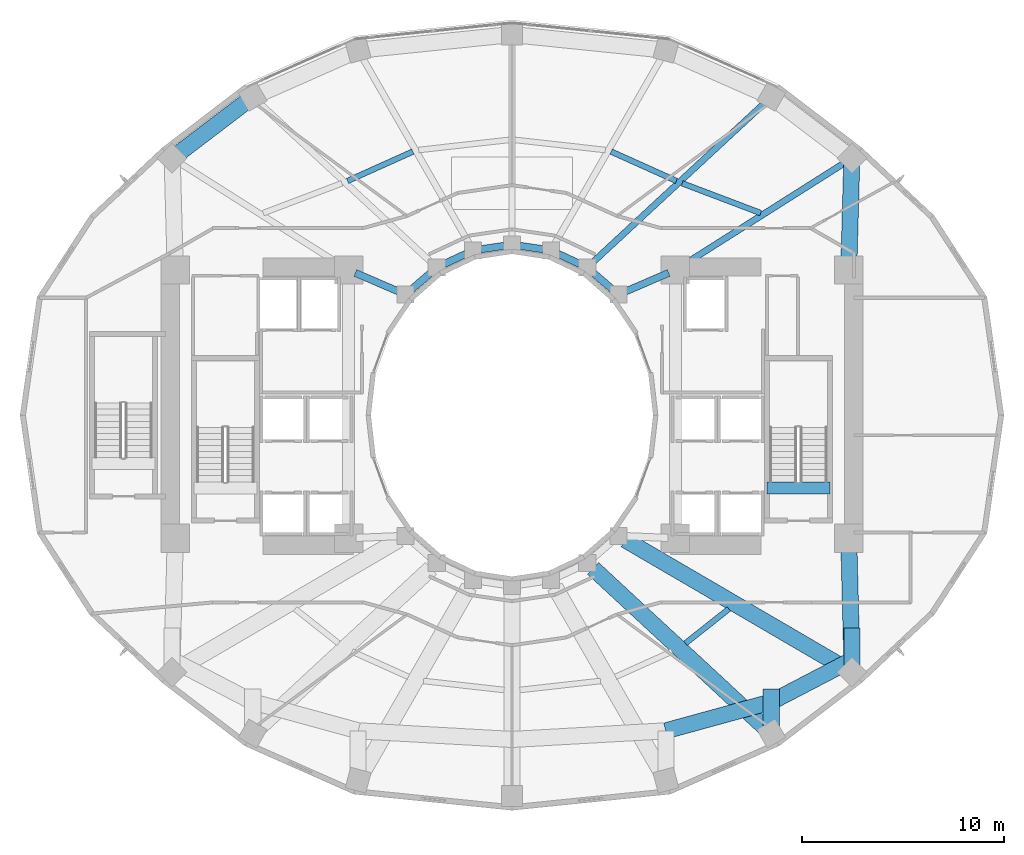
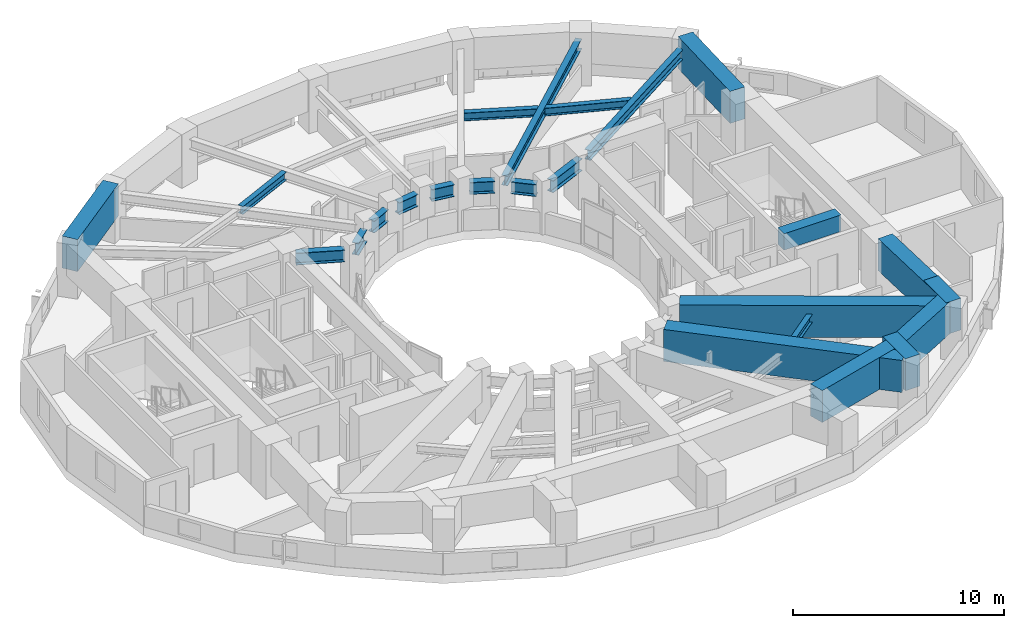
# One storey, part 7 of 19: 24 beams.
"""IFC4 building model written with IfcOpenShell, lengths in metres."""

from ifc_helpers import new_model, si_unit, direction, frame, origin, origin_2d, place, context, subcontext, project, spatial, rectangle, i_section, extrude, material, material_profile, profile_set, type_object, element, save


model = new_model("IFC4")

# Units and contexts
model_context = context("Model", 3, precision=1e-05, world=origin(), true_north=direction((0.0, 1.0)))
body_context = subcontext(model_context, "Body", "Model", "MODEL_VIEW")
ifc_project = project(units=[si_unit("LENGTHUNIT", "METRE"), si_unit("AREAUNIT", "SQUARE_METRE"), si_unit("VOLUMEUNIT", "CUBIC_METRE"), si_unit("PLANEANGLEUNIT", "RADIAN"), si_unit("MASSUNIT", "GRAM", prefix="KILO")], contexts=[model_context])

# Site, building, storey
site_placement = place(None, origin())
site = spatial("IfcSite", under=ifc_project, at=site_placement, CompositionType="ELEMENT")
building_placement = place(site_placement, origin())
building = spatial("IfcBuilding", under=site, at=building_placement, Name="Solvane Sanctuary Tower", CompositionType="ELEMENT")
storey_placement = place(building_placement, frame((0.0, 0.0, 73.199951171875)))
storey = spatial("IfcBuildingStorey", under=building, at=storey_placement, Name="L21", CompositionType="ELEMENT", Elevation=73.199951171875)

# Beams
ifc_material_1 = material(Name="Concrete C70/85", Category="concrete")
ifc_material_profile_1 = material_profile(ifc_material_1, rectangle(XDim=0.60009765625, YDim=0.949951171875, at=origin_2d()), Name="RC600X950")
ifc_profile_set_1 = profile_set([ifc_material_profile_1], Name="Concrete C70/85")
beam_type_1 = type_object("IfcBeamType", Name="Beam B-COUPLE RC600X950", PredefinedType="LINTEL", material=ifc_profile_set_1)
beam_1_placement = place(storey_placement, frame((44.64990234375, 19.399169921875, 2.625), z_axis=(1.0, 0.0, 0.0), x_axis=(0.0, 1.0, 0.0)))
element("IfcBeam", 1, at=beam_1_placement, inside=storey, type_object=beam_type_1, Name="L21 ST-2 Stair Floor Landing Trimmer", PredefinedType="LINTEL", context=body_context, shape_type="SweptSolid", body=[
    extrude(rectangle(XDim=0.60009765625, YDim=0.949951171875, at=origin_2d()), origin(), (0.0, 0.0, 1.0), 3.1201171875),
])
ifc_material_2 = material(Name="Steel ASTM A992 Grade 50", Category="steel")
ifc_material_profile_2 = material_profile(ifc_material_2, i_section(OverallWidth=0.31494140625, OverallDepth=0.575927734375, WebThickness=0.01513671875, FlangeThickness=0.0244140625, FilletRadius=0.014892578125, at=origin_2d()), Name="W21X122")
ifc_profile_set_2 = profile_set([ifc_material_profile_2], Name="Steel ASTM A992 Grade 50")
beam_type_2 = type_object("IfcBeamType", Name="Beam B-RAD-Z2 W21X122", PredefinedType="BEAM", material=ifc_profile_set_2)
beam_2_placement = place(storey_placement, frame((40.404052734375, 30.392578125, 2.31005859375), z_axis=(0.844853889678, 0.534997107558, 0.0), x_axis=(-0.534997107558, 0.844853889678, 0.0)))
element("IfcBeam", 2, at=beam_2_placement, inside=storey, type_object=beam_type_2, Name="L21 Radial Composite Floor Beam 01", PredefinedType="BEAM", context=body_context, shape_type="SweptSolid", body=[
    extrude(i_section(OverallWidth=0.31494140625, OverallDepth=0.575927734375, WebThickness=0.01513671875, FlangeThickness=0.0244140625, FilletRadius=0.014892578125, at=origin_2d()), origin(), (0.0, 0.0, 1.0), 9.720458984375),
])
beam_3_placement = place(storey_placement, frame((35.935302734375, 30.516845703125, 2.31005859375), z_axis=(0.733453775248, 0.679739332078, 0.0), x_axis=(-0.679739332078, 0.733453775248, 0.0)))
element("IfcBeam", 3, at=beam_3_placement, inside=storey, type_object=beam_type_2, Name="L21 Radial Composite Floor Beam 02", PredefinedType="BEAM", context=body_context, shape_type="SweptSolid", body=[
    extrude(i_section(OverallWidth=0.31494140625, OverallDepth=0.575927734375, WebThickness=0.01513671875, FlangeThickness=0.0244140625, FilletRadius=0.014892578125, at=origin_2d()), origin(), (0.0, 0.0, 1.0), 11.885498046875),
])
ifc_material_profile_3 = material_profile(ifc_material_2, i_section(OverallWidth=0.35498046875, OverallDepth=0.695068359375, WebThickness=0.015380859375, FlangeThickness=0.02490234375, FilletRadius=0.01806640625, at=origin_2d()), Name="W27X146")
ifc_profile_set_3 = profile_set([ifc_material_profile_3], Name="Steel ASTM A992 Grade 50")
beam_type_3 = type_object("IfcBeamType", Name="Beam B-RING-IN1 W27X146", PredefinedType="BEAM", material=ifc_profile_set_3)
beam_4_placement = place(storey_placement, frame((24.230712890625, 30.0576171875, 2.25048828125), z_axis=(0.918261456479, -0.3959746173, 0.0), x_axis=(0.3959746173, 0.918261456479, 0.0)))
element("IfcBeam", 4, at=beam_4_placement, inside=storey, type_object=beam_type_3, Name="L21 Inner Light-Well Ring Beam CW3-IC07", PredefinedType="BEAM", context=body_context, shape_type="SweptSolid", body=[
    extrude(i_section(OverallWidth=0.35498046875, OverallDepth=0.695068359375, WebThickness=0.015380859375, FlangeThickness=0.02490234375, FilletRadius=0.01806640625, at=origin_2d()), origin(), (0.0, 0.0, 1.0), 2.3212890625),
])
beam_5_placement = place(storey_placement, frame((27.02294921875, 29.241455078125, 2.25048828125), z_axis=(0.754317177099, 0.656510164684, 0.0), x_axis=(-0.656510164684, 0.754317177099, 0.0)))
element("IfcBeam", 5, at=beam_5_placement, inside=storey, type_object=beam_type_3, Name="L21 Inner Light-Well Ring Beam IC07-IC06", PredefinedType="BEAM", context=body_context, shape_type="SweptSolid", body=[
    extrude(i_section(OverallWidth=0.35498046875, OverallDepth=0.695068359375, WebThickness=0.015380859375, FlangeThickness=0.02490234375, FilletRadius=0.01806640625, at=origin_2d()), origin(), (0.0, 0.0, 1.0), 1.258056640625),
])
beam_6_placement = place(storey_placement, frame((28.62744140625, 30.494384765625, 2.25048828125), z_axis=(0.905044882818, 0.425316070804, 0.0), x_axis=(-0.425316070804, 0.905044882818, 0.0)))
element("IfcBeam", 6, at=beam_6_placement, inside=storey, type_object=beam_type_3, Name="L21 Inner Light-Well Ring Beam IC06-IC05", PredefinedType="BEAM", context=body_context, shape_type="SweptSolid", body=[
    extrude(i_section(OverallWidth=0.35498046875, OverallDepth=0.695068359375, WebThickness=0.015380859375, FlangeThickness=0.02490234375, FilletRadius=0.01806640625, at=origin_2d()), origin(), (0.0, 0.0, 1.0), 1.197998046875),
])
for number, where, z_axis, x_axis, name in (
    (7, (30.4599609375, 31.22998046875, 2.25048828125), (0.989034751611, 0.147682971619, 0.0), (-0.147682971619, 0.989034751611, 0.0), "L21 Inner Light-Well Ring Beam IC05-IC04"),
    (8, (32.390625, 31.401611328125, 2.25048828125), (0.989034751611, -0.147682971619, 0.0), (0.147682971619, 0.989034751611, 0.0), "L21 Inner Light-Well Ring Beam IC04-IC03"),
):
    element("IfcBeam", number, at=place(storey_placement, frame(where, z_axis=z_axis, x_axis=x_axis)), inside=storey, type_object=beam_type_3, Name=name, PredefinedType="BEAM", context=body_context, shape_type="SweptSolid", body=[
        extrude(i_section(OverallWidth=0.35498046875, OverallDepth=0.695068359375, WebThickness=0.015380859375, FlangeThickness=0.02490234375, FilletRadius=0.01806640625, at=origin_2d()), origin(), (0.0, 0.0, 1.0), 1.162109375),
    ])
beam_7_placement = place(storey_placement, frame((34.288330078125, 31.00390625, 2.25048828125), z_axis=(0.905044882818, -0.425316070804, 0.0), x_axis=(0.425316070804, 0.905044882818, 0.0)))
element("IfcBeam", 9, at=beam_7_placement, inside=storey, type_object=beam_type_3, Name="L21 Inner Light-Well Ring Beam IC03-IC02", PredefinedType="BEAM", context=body_context, shape_type="SweptSolid", body=[
    extrude(i_section(OverallWidth=0.35498046875, OverallDepth=0.695068359375, WebThickness=0.015380859375, FlangeThickness=0.02490234375, FilletRadius=0.01806640625, at=origin_2d()), origin(), (0.0, 0.0, 1.0), 1.197998046875),
])
beam_8_placement = place(storey_placement, frame((36.028076171875, 30.0673828125, 2.25048828125), z_axis=(0.754317177099, -0.656510164684, 0.0), x_axis=(0.656510164684, 0.754317177099, 0.0)))
element("IfcBeam", 10, at=beam_8_placement, inside=storey, type_object=beam_type_3, Name="L21 Inner Light-Well Ring Beam IC02-IC01", PredefinedType="BEAM", context=body_context, shape_type="SweptSolid", body=[
    extrude(i_section(OverallWidth=0.35498046875, OverallDepth=0.695068359375, WebThickness=0.015380859375, FlangeThickness=0.02490234375, FilletRadius=0.01806640625, at=origin_2d()), origin(), (0.0, 0.0, 1.0), 1.258056640625),
])
beam_9_placement = place(storey_placement, frame((37.6376953125, 29.138427734375, 2.25048828125), z_axis=(0.918261456479, 0.3959746173, 0.0), x_axis=(-0.3959746173, 0.918261456479, 0.0)))
element("IfcBeam", 11, at=beam_9_placement, inside=storey, type_object=beam_type_3, Name="L21 Inner Light-Well Ring Beam IC01-CE4", PredefinedType="BEAM", context=body_context, shape_type="SweptSolid", body=[
    extrude(i_section(OverallWidth=0.35498046875, OverallDepth=0.695068359375, WebThickness=0.015380859375, FlangeThickness=0.02490234375, FilletRadius=0.01806640625, at=origin_2d()), origin(), (0.0, 0.0, 1.0), 2.3212890625),
])
ifc_material_profile_4 = material_profile(ifc_material_2, i_section(OverallWidth=0.280029296875, OverallDepth=0.462890625, WebThickness=0.0107421875, FlangeThickness=0.017333984375, FilletRadius=0.013916015625, at=origin_2d()), Name="W18X76")
ifc_profile_set_4 = profile_set([ifc_material_profile_4], Name="Steel ASTM A992 Grade 50")
beam_type_4 = type_object("IfcBeamType", Name="Beam B-SEC-JOIST W18X76", PredefinedType="JOIST", material=ifc_profile_set_4)
for number, where, z_axis, x_axis, name in (
    (12, (23.844970703125, 34.618896484375, 2.366455078125), (0.912083673068, 0.410004113787, 0.0), (-0.410004113787, 0.912083673068, 0.0), "L21 Secondary Circumferential Joist 06-05"),
    (13, (36.919189453125, 36.073486328125, 2.366455078125), (0.912083673068, -0.410004113787, 0.0), (0.410004113787, 0.912083673068, 0.0), "L21 Secondary Circumferential Joist 03-02"),
):
    element("IfcBeam", number, at=place(storey_placement, frame(where, z_axis=z_axis, x_axis=x_axis)), inside=storey, type_object=beam_type_4, Name=name, PredefinedType="JOIST", context=body_context, shape_type="SweptSolid", body=[
        extrude(i_section(OverallWidth=0.280029296875, OverallDepth=0.462890625, WebThickness=0.0107421875, FlangeThickness=0.017333984375, FilletRadius=0.013916015625, at=origin_2d()), origin(), (0.0, 0.0, 1.0), 3.5478515625),
    ])
beam_10_placement = place(storey_placement, frame((40.436767578125, 34.50244140625, 2.366455078125), z_axis=(0.93509327646, -0.354401699091, 0.0), x_axis=(0.354401699091, 0.93509327646, 0.0)))
element("IfcBeam", 14, at=beam_10_placement, inside=storey, type_object=beam_type_4, Name="L21 Secondary Circumferential Joist 02-01", PredefinedType="JOIST", context=body_context, shape_type="SweptSolid", body=[
    extrude(i_section(OverallWidth=0.280029296875, OverallDepth=0.462890625, WebThickness=0.0107421875, FlangeThickness=0.017333984375, FilletRadius=0.013916015625, at=origin_2d()), origin(), (0.0, 0.0, 1.0), 4.167724609375),
])
beam_11_placement = place(storey_placement, frame((40.603759765625, 11.68896484375, 2.366455078125), z_axis=(0.783906859924, 0.620878438153, 0.0), x_axis=(-0.620878438153, 0.783906859924, 0.0)))
element("IfcBeam", 15, at=beam_11_placement, inside=storey, type_object=beam_type_4, Name="L21 Secondary Circumferential Joist 13-14", PredefinedType="JOIST", context=body_context, shape_type="SweptSolid", body=[
    extrude(i_section(OverallWidth=0.280029296875, OverallDepth=0.462890625, WebThickness=0.0107421875, FlangeThickness=0.017333984375, FilletRadius=0.013916015625, at=origin_2d()), origin(), (0.0, 0.0, 1.0), 2.743408203125),
])
ifc_material_profile_5 = material_profile(ifc_material_1, rectangle(XDim=0.800048828125, YDim=1.85009765625, at=origin_2d()), Name="RC800X1850")
ifc_profile_set_5 = profile_set([ifc_material_profile_5], Name="Concrete C70/85")
beam_type_5 = type_object("IfcBeamType", Name="Beam B-XFER-BLK RC800X1850", PredefinedType="BEAM", material=ifc_profile_set_5)
beam_12_placement = place(storey_placement, frame((36.019775390625, 15.40478515625, 2.175048828125), z_axis=(0.733470457191, -0.679721331449, 0.0), x_axis=(0.679721331449, 0.733470457191, 0.0)))
element("IfcBeam", 16, at=beam_12_placement, inside=storey, type_object=beam_type_5, Name="L21 Block-Shift Radial Transfer Girder 13A", PredefinedType="BEAM", context=body_context, shape_type="SweptSolid", body=[
    extrude(rectangle(XDim=0.800048828125, YDim=1.85009765625, at=origin_2d()), origin(), (0.0, 0.0, 1.0), 11.60546875),
])
beam_13_placement = place(storey_placement, frame((44.8583984375, 7.263916015625, 2.175048828125), z_axis=(0.0, 1.0, 0.0), x_axis=(-1.0, 0.0, 0.0)))
element("IfcBeam", 17, at=beam_13_placement, inside=storey, type_object=beam_type_5, Name="L21 Block-Shift Transfer Tie 13B", PredefinedType="BEAM", context=body_context, shape_type="SweptSolid", body=[
    extrude(rectangle(XDim=0.800048828125, YDim=1.85009765625, at=origin_2d()), origin(), (0.0, 0.0, 1.0), 2.14990234375),
])
beam_14_placement = place(storey_placement, frame((37.6162109375, 16.818603515625, 2.175048828125), z_axis=(0.863561803877, -0.504243007771, 0.0), x_axis=(0.504243007771, 0.863561803877, 0.0)))
element("IfcBeam", 18, at=beam_14_placement, inside=storey, type_object=beam_type_5, Name="L21 Block-Shift Radial Transfer Girder 14A", PredefinedType="BEAM", context=body_context, shape_type="SweptSolid", body=[
    extrude(rectangle(XDim=0.800048828125, YDim=1.85009765625, at=origin_2d()), origin(), (0.0, 0.0, 1.0), 12.567138671875),
])
beam_15_placement = place(storey_placement, frame((48.85302734375, 10.30712890625, 2.175048828125), z_axis=(0.0, 1.0, 0.0), x_axis=(-1.0, 0.0, 0.0)))
element("IfcBeam", 19, at=beam_15_placement, inside=storey, type_object=beam_type_5, Name="L21 Block-Shift Transfer Tie 14B", PredefinedType="BEAM", context=body_context, shape_type="SweptSolid", body=[
    extrude(rectangle(XDim=0.800048828125, YDim=1.85009765625, at=origin_2d()), origin(), (0.0, 0.0, 1.0), 2.150146484375),
])
beam_16_placement = place(storey_placement, frame((15.14697265625, 35.742919921875, 2.175048828125), z_axis=(0.795461851464, 0.606003665719, 0.0), x_axis=(-0.606003665719, 0.795461851464, 0.0)))
element("IfcBeam", 20, at=beam_16_placement, inside=storey, type_object=beam_type_5, Name="L21 Perimeter Step Transfer Ring NTC07-NTC06", PredefinedType="BEAM", context=body_context, shape_type="SweptSolid", body=[
    extrude(rectangle(XDim=0.800048828125, YDim=1.85009765625, at=origin_2d()), origin(), (0.0, 0.0, 1.0), 5.021728515625),
])
beam_17_placement = place(storey_placement, frame((48.85302734375, 35.742919921875, 2.175048828125), z_axis=(-0.027591940282, -0.999619269938, 0.0), x_axis=(0.999619269938, -0.027591940282, 0.0)))
element("IfcBeam", 21, at=beam_17_placement, inside=storey, type_object=beam_type_5, Name="L21 Perimeter Step Transfer Ring NTC01-CE3", PredefinedType="BEAM", context=body_context, shape_type="SweptSolid", body=[
    extrude(rectangle(XDim=0.800048828125, YDim=1.85009765625, at=origin_2d()), origin(), (0.0, 0.0, 1.0), 5.18505859375),
])
beam_18_placement = place(storey_placement, frame((39.62939453125, 7.347900390625, 2.175048828125), z_axis=(0.964365802426, 0.264572483661, 0.0), x_axis=(-0.264572483661, 0.964365802426, 0.0)))
element("IfcBeam", 22, at=beam_18_placement, inside=storey, type_object=beam_type_5, Name="L21 Perimeter Step Transfer Ring NTC12-NTC13", PredefinedType="BEAM", context=body_context, shape_type="SweptSolid", body=[
    extrude(rectangle(XDim=0.800048828125, YDim=1.85009765625, at=origin_2d()), origin(), (0.0, 0.0, 1.0), 5.422119140625),
])
beam_19_placement = place(storey_placement, frame((44.8583984375, 8.782470703125, 2.175048828125), z_axis=(0.887022336415, 0.46172651505, 0.0), x_axis=(-0.46172651505, 0.887022336415, 0.0)))
element("IfcBeam", 23, at=beam_19_placement, inside=storey, type_object=beam_type_5, Name="L21 Perimeter Step Transfer Ring NTC13-NTC14", PredefinedType="BEAM", context=body_context, shape_type="SweptSolid", body=[
    extrude(rectangle(XDim=0.800048828125, YDim=1.85009765625, at=origin_2d()), origin(), (0.0, 0.0, 1.0), 4.50341796875),
])
beam_20_placement = place(storey_placement, frame((48.85302734375, 10.86181640625, 2.175048828125), z_axis=(-0.025359457149, 0.999678397252, 0.0), x_axis=(-0.999678397252, -0.025359457149, 0.0)))
element("IfcBeam", 24, at=beam_20_placement, inside=storey, type_object=beam_type_5, Name="L21 Perimeter Step Transfer Ring NTC14-CE2", PredefinedType="BEAM", context=body_context, shape_type="SweptSolid", body=[
    extrude(rectangle(XDim=0.800048828125, YDim=1.85009765625, at=origin_2d()), origin(), (0.0, 0.0, 1.0), 5.679931640625),
])

save(model, "model.ifc")
